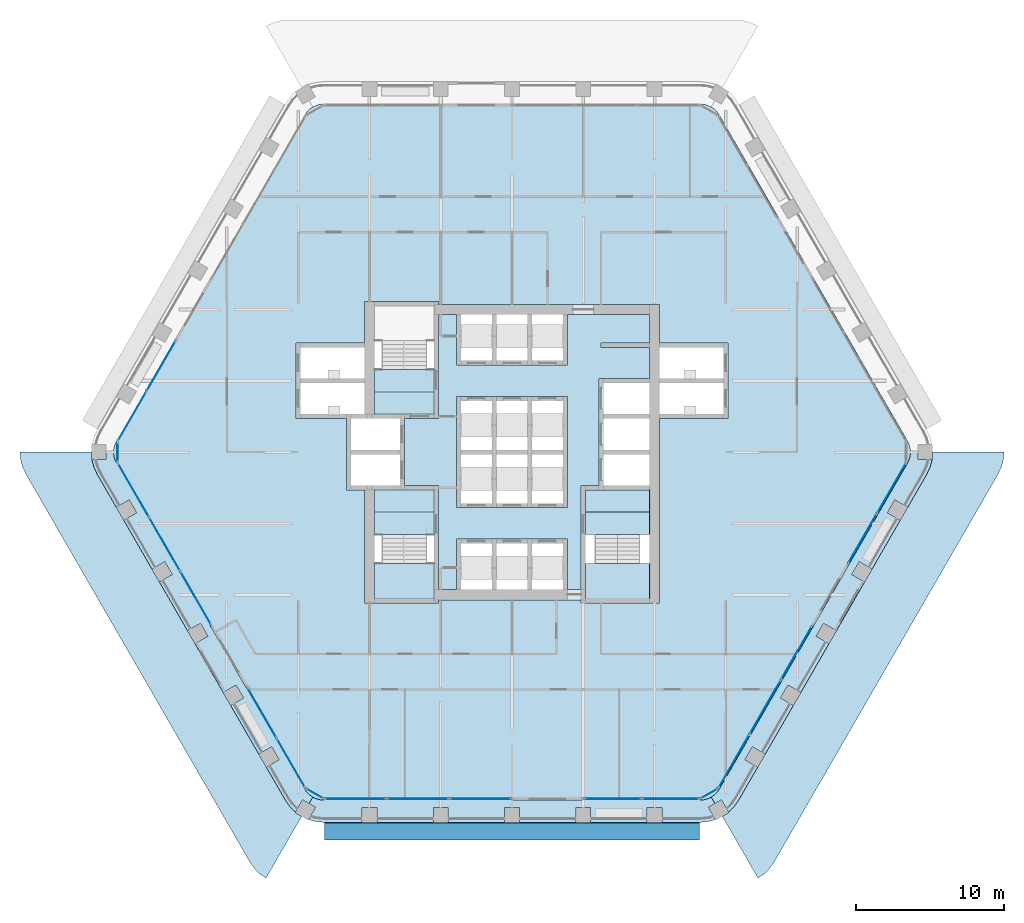
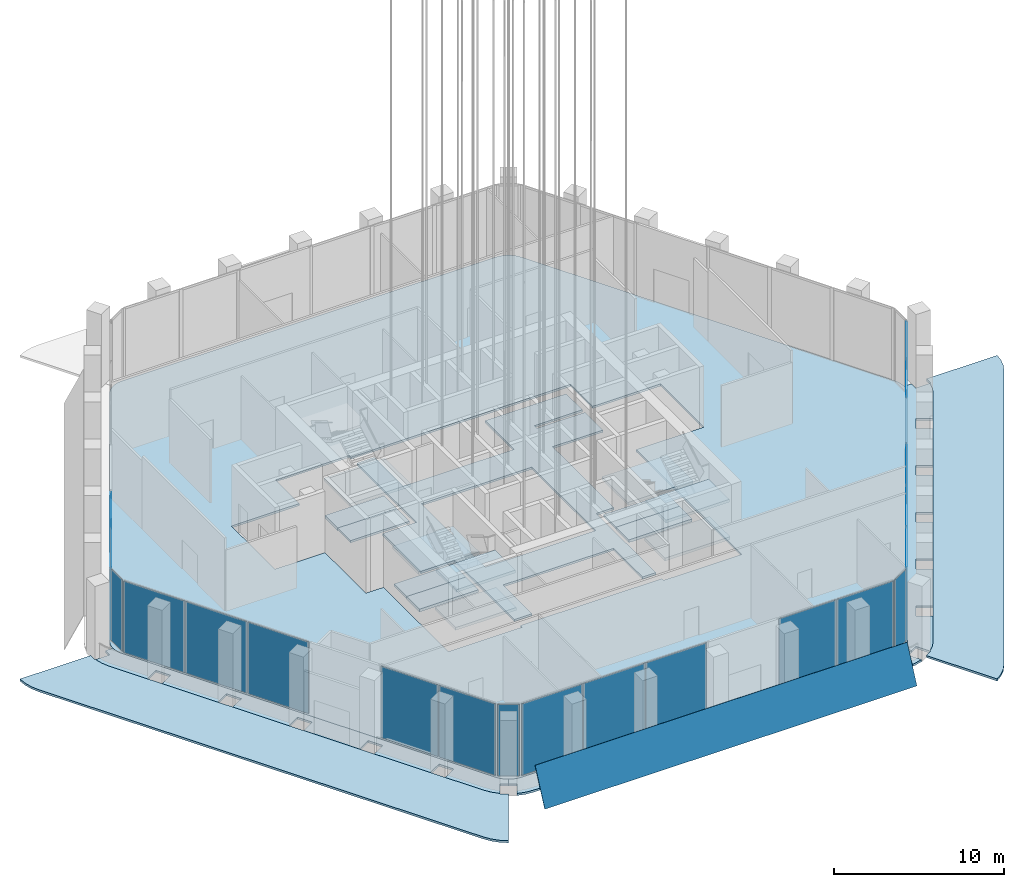
# One storey, part 6 of 42: 21 plates, 20 slabs, 13 elements without a shape of their own.
"""IFC4 building model written with IfcOpenShell, lengths in metres."""

from ifc_helpers import new_model, si_unit, direction, frame, origin, origin_2d, place, context, subcontext, project, spatial, polyline, rectangle, outline, extrude, material, layer, layer_set, type_object, element, aggregate, save


model = new_model("IFC4")

# Units and contexts
model_context = context("Model", 3, precision=1e-05, world=origin(), true_north=direction((0.0, 1.0)))
body_context = subcontext(model_context, "Body", "Model", "MODEL_VIEW")
ifc_project = project(units=[si_unit("LENGTHUNIT", "METRE"), si_unit("AREAUNIT", "SQUARE_METRE"), si_unit("VOLUMEUNIT", "CUBIC_METRE"), si_unit("PLANEANGLEUNIT", "RADIAN"), si_unit("MASSUNIT", "GRAM", prefix="KILO")], contexts=[model_context])

# Site, building, storey
site_placement = place(None, origin())
site = spatial("IfcSite", under=ifc_project, at=site_placement, CompositionType="ELEMENT")
building_placement = place(site_placement, origin())
building = spatial("IfcBuilding", under=site, at=building_placement, Name="Kolab Exchange Tower", CompositionType="ELEMENT")
storey_placement = place(building_placement, frame((0.0, 0.0, 133.39990234375)))
storey = spatial("IfcBuildingStorey", under=building, at=storey_placement, Name="L26", CompositionType="ELEMENT", Elevation=133.39990234375)

# Slabs
ifc_material_1 = material(Name="Concrete C35/45", Category="concrete")
ifc_layer_1 = layer(ifc_material_1, 0.14990234375)
ifc_layer_set_1 = layer_set([ifc_layer_1], Name="Concrete C35/45")
slab_type_1 = type_object("IfcSlabType", Name="FLOOR SLAB 150", PredefinedType="FLOOR", material=ifc_layer_set_1)
slab_1_placement = place(storey_placement, frame((0.0, 0.0, -0.14990234375)))
element("IfcSlab", 1, at=slab_1_placement, inside=storey, type_object=slab_type_1, Name="slab/L26/floor/0", PredefinedType="FLOOR", context=body_context, shape_type="SweptSolid", body=[
    extrude(outline(polyline([(13.967041015625, -22.691650390625), (26.635009765625, -0.75), (26.745361328125, -0.512939453125), (26.81298828125, -0.260498046875), (26.8359375, 0.0), (26.81298828125, 0.260498046875), (26.745361328125, 0.512939453125), (26.635009765625, 0.75), (13.967041015625, 22.691650390625), (13.81689453125, 22.90576171875), (13.632080078125, 23.090576171875), (13.41796875, 23.240478515625), (13.180908203125, 23.35107421875), (12.928466796875, 23.418701171875), (12.66796875, 23.441650390625), (-12.66796875, 23.441650390625), (-12.928466796875, 23.418701171875), (-13.180908203125, 23.35107421875), (-13.41796875, 23.240478515625), (-13.632080078125, 23.090576171875), (-13.81689453125, 22.90576171875), (-13.967041015625, 22.691650390625), (-26.635009765625, 0.75), (-26.745361328125, 0.512939453125), (-26.81298828125, 0.260498046875), (-26.8359375, 0.0), (-26.81298828125, -0.260498046875), (-26.745361328125, -0.512939453125), (-26.635009765625, -0.75), (-13.967041015625, -22.691650390625), (-13.81689453125, -22.90576171875), (-13.632080078125, -23.090576171875), (-13.41796875, -23.240478515625), (-13.180908203125, -23.35107421875), (-12.928466796875, -23.418701171875), (-12.66796875, -23.441650390625), (12.66796875, -23.441650390625), (12.928466796875, -23.418701171875), (13.180908203125, -23.35107421875), (13.41796875, -23.240478515625), (13.632080078125, -23.090576171875), (13.81689453125, -22.90576171875), (13.967041015625, -22.691650390625)]), holes=[polyline([(-11.14990234375, -2.550048828125), (-11.14990234375, 2.25), (-14.25, 2.25), (-14.550048828125, 2.25), (-14.550048828125, 7.35009765625), (-14.25, 7.35009765625), (-9.949951171875, 7.35009765625), (-9.949951171875, 10.14990234375), (-9.25, 10.14990234375), (-5.25, 10.14990234375), (-4.949951171875, 10.14990234375), (-4.949951171875, 9.949951171875), (9.25, 9.949951171875), (9.949951171875, 9.949951171875), (9.949951171875, 7.35009765625), (14.25, 7.35009765625), (14.550048828125, 7.35009765625), (14.550048828125, 2.25), (14.25, 2.25), (9.949951171875, 2.25), (9.949951171875, -10.14990234375), (9.25, -10.14990234375), (4.949951171875, -10.14990234375), (4.64990234375, -10.14990234375), (4.64990234375, -9.949951171875), (-4.949951171875, -9.949951171875), (-4.949951171875, -10.14990234375), (-5.25, -10.14990234375), (-9.25, -10.14990234375), (-9.949951171875, -10.14990234375), (-9.949951171875, -2.550048828125), (-10.85009765625, -2.550048828125), (-11.14990234375, -2.550048828125)])]), origin(), (0.0, 0.0, 1.0), 0.14990234375),
])
slab_2_placement = place(storey_placement, frame((0.0, 0.0, -0.14990234375)))
element("IfcSlab", 2, at=slab_2_placement, inside=storey, type_object=slab_type_1, Name="slab/L26/floor/1", PredefinedType="FLOOR", context=body_context, shape_type="SweptSolid", body=[
    extrude(outline(polyline([(-4.949951171875, 9.25), (-4.949951171875, 2.25), (-5.25, 2.25), (-7.25, 2.25), (-7.25, -2.25), (-5.25, -2.25), (-4.949951171875, -2.25), (-4.949951171875, -9.25), (-3.75, -9.25), (-3.75, -5.85009765625), (-3.449951171875, -5.85009765625), (-1.35009765625, -5.85009765625), (-1.050048828125, -5.85009765625), (1.050048828125, -5.85009765625), (1.35009765625, -5.85009765625), (3.449951171875, -5.85009765625), (3.75, -5.85009765625), (3.75, -9.25), (4.64990234375, -9.25), (4.64990234375, -2.25), (4.949951171875, -2.25), (5.85009765625, -2.25), (5.85009765625, 4.949951171875), (6.14990234375, 4.949951171875), (9.25, 4.949951171875), (9.25, 7.050048828125), (6.0, 7.050048828125), (6.0, 7.35009765625), (9.25, 7.35009765625), (9.25, 9.25), (3.75, 9.25), (3.75, 5.85009765625), (3.449951171875, 5.85009765625), (1.35009765625, 5.85009765625), (1.050048828125, 5.85009765625), (-1.050048828125, 5.85009765625), (-1.35009765625, 5.85009765625), (-3.449951171875, 5.85009765625), (-3.75, 5.85009765625), (-3.75, 9.25), (-4.949951171875, 9.25)]), holes=[polyline([(-1.35009765625, -3.75), (-3.449951171875, -3.75), (-3.75, -3.75), (-3.75, 3.75), (-3.449951171875, 3.75), (-1.35009765625, 3.75), (-1.050048828125, 3.75), (1.050048828125, 3.75), (1.35009765625, 3.75), (3.449951171875, 3.75), (3.75, 3.75), (3.75, -3.75), (3.449951171875, -3.75), (1.35009765625, -3.75), (1.050048828125, -3.75), (-1.050048828125, -3.75), (-1.35009765625, -3.75)])]), origin(), (0.0, 0.0, 1.0), 0.14990234375),
])
slab_3_placement = place(storey_placement, frame((0.0, 0.0, -0.14990234375)))
element("IfcSlab", 3, at=slab_3_placement, inside=storey, type_object=slab_type_1, Name="slab/L26/floor/2", PredefinedType="FLOOR", context=body_context, shape_type="SweptSolid", body=[
    extrude(outline(polyline([(5.85009765625, -2.550048828125), (4.949951171875, -2.550048828125), (4.949951171875, -4.050048828125), (9.25, -4.050048828125), (9.25, -2.550048828125), (6.14990234375, -2.550048828125), (5.85009765625, -2.550048828125)])), origin(), (0.0, 0.0, 1.0), 0.14990234375),
])
slab_4_placement = place(storey_placement, frame((0.0, 0.0, -0.14990234375)))
element("IfcSlab", 4, at=slab_4_placement, inside=storey, type_object=slab_type_1, Name="slab/L26/floor/3", PredefinedType="FLOOR", context=body_context, shape_type="SweptSolid", body=[
    extrude(outline(polyline([(-7.550048828125, -2.550048828125), (-9.25, -2.550048828125), (-9.25, -4.050048828125), (-5.25, -4.050048828125), (-5.25, -2.550048828125), (-7.25, -2.550048828125), (-7.550048828125, -2.550048828125)])), origin(), (0.0, 0.0, 1.0), 0.14990234375),
])
slab_5_placement = place(storey_placement, frame((0.0, 0.0, -0.14990234375)))
element("IfcSlab", 5, at=slab_5_placement, inside=storey, type_object=slab_type_1, Name="slab/L26/floor/4", PredefinedType="FLOOR", context=body_context, shape_type="SweptSolid", body=[
    extrude(outline(polyline([(-9.25, 2.550048828125), (-7.550048828125, 2.550048828125), (-7.25, 2.550048828125), (-5.25, 2.550048828125), (-5.25, 4.050048828125), (-9.25, 4.050048828125), (-9.25, 2.550048828125)])), origin(), (0.0, 0.0, 1.0), 0.14990234375),
])
ifc_layer_2 = layer(ifc_material_1, 0.14990234375)
ifc_layer_set_2 = layer_set([ifc_layer_2], Name="Concrete C35/45")
slab_type_2 = type_object("IfcSlabType", Name="LOGGIA SLAB 150", PredefinedType="FLOOR", material=ifc_layer_set_2)
slab_6_placement = place(storey_placement, frame((0.0, 0.0, -0.14990234375)))
element("IfcSlab", 6, at=slab_6_placement, inside=storey, type_object=slab_type_2, Name="slab/L26/loggia/2-0", PredefinedType="FLOOR", context=body_context, shape_type="SweptSolid", body=[
    extrude(outline(polyline([(15.26611328125, -23.441650390625), (16.550048828125, -21.217529296875), (15.68408203125, -20.717529296875), (16.18408203125, -19.8515625), (17.050048828125, -20.3515625), (18.949951171875, -17.060791015625), (18.083984375, -16.560791015625), (18.583984375, -15.694580078125), (19.449951171875, -16.194580078125), (21.35009765625, -12.90380859375), (20.48388671875, -12.40380859375), (20.98388671875, -11.537841796875), (21.85009765625, -12.037841796875), (23.75, -8.746826171875), (22.884033203125, -8.246826171875), (23.384033203125, -7.380859375), (24.25, -7.880859375), (26.14990234375, -4.58984375), (25.283935546875, -4.08984375), (25.783935546875, -3.223876953125), (26.64990234375, -3.723876953125), (27.93408203125, -1.5), (28.155029296875, -1.026123046875), (28.290283203125, -0.52099609375), (28.292236328125, -0.5), (27.3359375, -0.5), (27.3359375, 0.0), (26.8359375, 0.0), (26.81298828125, -0.260498046875), (26.745361328125, -0.512939453125), (26.635009765625, -0.75), (13.967041015625, -22.691650390625), (13.81689453125, -22.90576171875), (13.632080078125, -23.090576171875), (13.41796875, -23.240478515625), (13.66796875, -23.673583984375), (14.10107421875, -23.423583984375), (14.5791015625, -24.251708984375), (14.59619140625, -24.23974609375), (14.966064453125, -23.869873046875), (15.26611328125, -23.441650390625)])), origin(), (0.0, 0.0, 1.0), 0.14990234375),
])
slab_7_placement = place(storey_placement, frame((0.0, 0.0, -0.14990234375)))
element("IfcSlab", 7, at=slab_7_placement, inside=storey, type_object=slab_type_2, Name="slab/L26/loggia/3-0", PredefinedType="FLOOR", context=body_context, shape_type="SweptSolid", body=[
    extrude(outline(polyline([(-13.41796875, -23.240478515625), (-13.66796875, -23.673583984375), (-13.23486328125, -23.923583984375), (-13.713134765625, -24.751708984375), (-13.694091796875, -24.760498046875), (-13.18896484375, -24.89599609375), (-12.66796875, -24.941650390625), (-10.10009765625, -24.941650390625), (-10.10009765625, -23.941650390625), (-9.10009765625, -23.941650390625), (-9.10009765625, -24.941650390625), (-5.300048828125, -24.941650390625), (-5.300048828125, -23.941650390625), (-4.300048828125, -23.941650390625), (-4.300048828125, -24.941650390625), (-0.5, -24.941650390625), (-0.5, -23.941650390625), (0.5, -23.941650390625), (0.5, -24.941650390625), (4.300048828125, -24.941650390625), (4.300048828125, -23.941650390625), (5.300048828125, -23.941650390625), (5.300048828125, -24.941650390625), (9.10009765625, -24.941650390625), (9.10009765625, -23.941650390625), (10.10009765625, -23.941650390625), (10.10009765625, -24.941650390625), (12.66796875, -24.941650390625), (13.18896484375, -24.89599609375), (13.694091796875, -24.760498046875), (13.713134765625, -24.751708984375), (13.23486328125, -23.923583984375), (13.66796875, -23.673583984375), (13.41796875, -23.240478515625), (13.180908203125, -23.35107421875), (12.928466796875, -23.418701171875), (12.66796875, -23.441650390625), (-12.66796875, -23.441650390625), (-12.928466796875, -23.418701171875), (-13.180908203125, -23.35107421875), (-13.41796875, -23.240478515625)])), origin(), (0.0, 0.0, 1.0), 0.14990234375),
])
slab_8_placement = place(storey_placement, frame((0.0, 0.0, -0.14990234375)))
element("IfcSlab", 8, at=slab_8_placement, inside=storey, type_object=slab_type_2, Name="slab/L26/loggia/4-0", PredefinedType="FLOOR", context=body_context, shape_type="SweptSolid", body=[
    extrude(outline(polyline([(-26.8359375, 0.0), (-27.3359375, 0.0), (-27.3359375, -0.5), (-28.292236328125, -0.5), (-28.290283203125, -0.52099609375), (-28.155029296875, -1.026123046875), (-27.93408203125, -1.5), (-26.64990234375, -3.723876953125), (-25.783935546875, -3.223876953125), (-25.283935546875, -4.08984375), (-26.14990234375, -4.58984375), (-24.25, -7.880859375), (-23.384033203125, -7.380859375), (-22.884033203125, -8.246826171875), (-23.75, -8.746826171875), (-21.85009765625, -12.037841796875), (-20.98388671875, -11.537841796875), (-20.48388671875, -12.40380859375), (-21.35009765625, -12.90380859375), (-19.449951171875, -16.194580078125), (-18.583984375, -15.694580078125), (-18.083984375, -16.560791015625), (-18.949951171875, -17.060791015625), (-17.050048828125, -20.3515625), (-16.18408203125, -19.8515625), (-15.68408203125, -20.717529296875), (-16.550048828125, -21.217529296875), (-15.26611328125, -23.441650390625), (-14.966064453125, -23.869873046875), (-14.59619140625, -24.23974609375), (-14.5791015625, -24.251708984375), (-14.10107421875, -23.423583984375), (-13.66796875, -23.673583984375), (-13.41796875, -23.240478515625), (-13.632080078125, -23.090576171875), (-13.81689453125, -22.90576171875), (-13.967041015625, -22.691650390625), (-26.635009765625, -0.75), (-26.745361328125, -0.512939453125), (-26.81298828125, -0.260498046875), (-26.8359375, 0.0)])), origin(), (0.0, 0.0, 1.0), 0.14990234375),
])

# Plate
ifc_material_2 = material(Name="Laminated glass, clear", Category="glass")
ifc_layer_3 = layer(ifc_material_2, 0.0400390625)
ifc_layer_set_3 = layer_set([ifc_layer_3], Name="Laminated glass, clear")
plate_type_1 = type_object("IfcPlateType", Name="OUTER SKIN LAMINATED GLASS SHEET 40", PredefinedType="SHEET", material=ifc_layer_set_3)
plate_1_placement = place(storey_placement, frame((12.617919921875, -26.121337890625, -0.68310546875), z_axis=(0.0, -0.906325987665, 0.422579228173), x_axis=(-1.0, 0.0, 0.0)))
element("IfcPlate", 9, at=plate_1_placement, inside=storey, type_object=plate_type_1, Name="Outer skin", PredefinedType="SHEET", context=body_context, shape_type="SweptSolid", body=[
    extrude(outline(polyline([(0.0, 0.0), (25.23583984375, 0.0), (25.23583984375, -2.7061308537215987), (0.0, -2.7061308537215987), (0.0, 0.0)])), origin(), (0.0, 0.0, -1.0), 0.0400390625),
])

# Stair, slabs
ifc_material_3 = material(Name="Concrete C50/60", Category="concrete")
stair_type_1 = type_object("IfcStairType", Name="STAIR ST1 RISER 168.8", PredefinedType="DOUBLE_RETURN_STAIR", material=ifc_material_3)
stair_1_placement = place(storey_placement, origin())
stair_1 = element("IfcStair", 10, at=stair_1_placement, inside=storey, type_object=stair_type_1, Name="Stair 1", PredefinedType="DOUBLE_RETURN_STAIR")
ifc_layer_4 = layer(ifc_material_3, 0.199951171875)
ifc_layer_set_4 = layer_set([ifc_layer_4], Name="Concrete C50/60")
slab_type_3 = type_object("IfcSlabType", Name="STAIR LANDING 200", PredefinedType="LANDING", material=ifc_layer_set_4)
slab_9_placement = place(storey_placement, frame((0.0, 0.0, -0.199951171875)))
slab_9 = element("IfcSlab", 11, at=slab_9_placement, type_object=slab_type_3, Name="ST1 landing 1", PredefinedType="LANDING", context=body_context, shape_type="SweptSolid", body=[
    extrude(outline(polyline([(-9.25, 4.050048828125), (-5.25, 4.050048828125), (-5.25, 5.550048828125), (-9.25, 5.550048828125), (-9.25, 4.050048828125)])), origin(), (0.0, 0.0, 1.0), 0.199951171875),
])
slab_10_placement = place(storey_placement, frame((0.0, 0.0, 2.5)))
slab_10 = element("IfcSlab", 12, at=slab_10_placement, type_object=slab_type_3, Name="ST1 landing 3", PredefinedType="LANDING", context=body_context, shape_type="SweptSolid", body=[
    extrude(outline(polyline([(-9.31005859375, 2.489990234375), (-5.18994140625, 2.489990234375), (-5.18994140625, 5.550048828125), (-9.31005859375, 5.550048828125), (-9.31005859375, 2.489990234375)])), origin(), (0.0, 0.0, 1.0), 0.2001953125),
])
aggregate(stair_1, [slab_9, slab_10])

stair_type_2 = type_object("IfcStairType", Name="STAIR ST3 RISER 168.8", PredefinedType="DOUBLE_RETURN_STAIR", material=ifc_material_3)
stair_2_placement = place(storey_placement, origin())
stair_2 = element("IfcStair", 13, at=stair_2_placement, inside=storey, type_object=stair_type_2, Name="Stair 3", PredefinedType="DOUBLE_RETURN_STAIR")
slab_11_placement = place(storey_placement, frame((0.0, 0.0, -0.199951171875)))
slab_11 = element("IfcSlab", 14, at=slab_11_placement, type_object=slab_type_3, Name="ST3 landing 1", PredefinedType="LANDING", context=body_context, shape_type="SweptSolid", body=[
    extrude(outline(polyline([(-9.25, -5.550048828125), (-5.25, -5.550048828125), (-5.25, -4.050048828125), (-9.25, -4.050048828125), (-9.25, -5.550048828125)])), origin(), (0.0, 0.0, 1.0), 0.199951171875),
])
slab_12_placement = place(storey_placement, frame((0.0, 0.0, 1.150146484375)))
slab_12 = element("IfcSlab", 15, at=slab_12_placement, type_object=slab_type_3, Name="ST3 landing 2", PredefinedType="LANDING", context=body_context, shape_type="SweptSolid", body=[
    extrude(outline(polyline([(-9.31005859375, -9.909912109375), (-5.18994140625, -9.909912109375), (-5.18994140625, -7.510009765625), (-9.31005859375, -7.510009765625), (-9.31005859375, -9.909912109375)])), origin(), (0.0, 0.0, 1.0), 0.199951171875),
])
slab_13_placement = place(storey_placement, frame((0.0, 0.0, 2.5)))
slab_13 = element("IfcSlab", 16, at=slab_13_placement, type_object=slab_type_3, Name="ST3 landing 3", PredefinedType="LANDING", context=body_context, shape_type="SweptSolid", body=[
    extrude(outline(polyline([(-9.31005859375, -5.550048828125), (-5.18994140625, -5.550048828125), (-5.18994140625, -2.489990234375), (-9.31005859375, -2.489990234375), (-9.31005859375, -5.550048828125)])), origin(), (0.0, 0.0, 1.0), 0.2001953125),
])
slab_14_placement = place(storey_placement, frame((0.0, 0.0, 3.85009765625)))
slab_14 = element("IfcSlab", 17, at=slab_14_placement, type_object=slab_type_3, Name="ST3 landing 4", PredefinedType="LANDING", context=body_context, shape_type="SweptSolid", body=[
    extrude(outline(polyline([(-9.25, -9.909912109375), (-5.25, -9.909912109375), (-5.25, -7.510009765625), (-9.25, -7.510009765625), (-9.25, -9.909912109375)])), origin(), (0.0, 0.0, 1.0), 0.199951171875),
])
aggregate(stair_2, [slab_11, slab_12, slab_13, slab_14])

stair_type_3 = type_object("IfcStairType", Name="STAIR ST2 RISER 168.8", PredefinedType="DOUBLE_RETURN_STAIR", material=ifc_material_3)
stair_3_placement = place(storey_placement, origin())
stair_3 = element("IfcStair", 18, at=stair_3_placement, inside=storey, type_object=stair_type_3, Name="Stair 2", PredefinedType="DOUBLE_RETURN_STAIR")
slab_15_placement = place(storey_placement, frame((0.0, 0.0, -0.199951171875)))
slab_15 = element("IfcSlab", 19, at=slab_15_placement, type_object=slab_type_3, Name="ST2 landing 1", PredefinedType="LANDING", context=body_context, shape_type="SweptSolid", body=[
    extrude(outline(polyline([(4.949951171875, -5.550048828125), (9.25, -5.550048828125), (9.25, -4.050048828125), (4.949951171875, -4.050048828125), (4.949951171875, -5.550048828125)])), origin(), (0.0, 0.0, 1.0), 0.199951171875),
])
slab_16_placement = place(storey_placement, frame((0.0, 0.0, 1.150146484375)))
slab_16 = element("IfcSlab", 20, at=slab_16_placement, type_object=slab_type_3, Name="ST2 landing 2", PredefinedType="LANDING", context=body_context, shape_type="SweptSolid", body=[
    extrude(outline(polyline([(4.889892578125, -9.909912109375), (9.31005859375, -9.909912109375), (9.31005859375, -7.510009765625), (4.889892578125, -7.510009765625), (4.889892578125, -9.909912109375)])), origin(), (0.0, 0.0, 1.0), 0.199951171875),
])
slab_17_placement = place(storey_placement, frame((0.0, 0.0, 2.5)))
slab_17 = element("IfcSlab", 21, at=slab_17_placement, type_object=slab_type_3, Name="ST2 landing 3", PredefinedType="LANDING", context=body_context, shape_type="SweptSolid", body=[
    extrude(outline(polyline([(4.889892578125, -5.550048828125), (9.31005859375, -5.550048828125), (9.31005859375, -2.489990234375), (4.889892578125, -2.489990234375), (4.889892578125, -5.550048828125)])), origin(), (0.0, 0.0, 1.0), 0.2001953125),
])
slab_18_placement = place(storey_placement, frame((0.0, 0.0, 3.85009765625)))
slab_18 = element("IfcSlab", 22, at=slab_18_placement, type_object=slab_type_3, Name="ST2 landing 4", PredefinedType="LANDING", context=body_context, shape_type="SweptSolid", body=[
    extrude(outline(polyline([(4.949951171875, -9.909912109375), (9.25, -9.909912109375), (9.25, -7.510009765625), (4.949951171875, -7.510009765625), (4.949951171875, -9.909912109375)])), origin(), (0.0, 0.0, 1.0), 0.199951171875),
])
aggregate(stair_3, [slab_15, slab_16, slab_17, slab_18])

# Slabs
ifc_layer_5 = layer(ifc_material_1, 0.14990234375)
ifc_layer_set_5 = layer_set([ifc_layer_5], Name="Concrete C35/45")
slab_type_4 = type_object("IfcSlabType", Name="TERRACE SLAB 150 PLANTED", PredefinedType="ROOF", material=ifc_layer_set_5)
slab_19_placement = place(storey_placement, frame((0.0, 0.0, -0.14990234375)))
element("IfcSlab", 23, at=slab_19_placement, inside=storey, type_object=slab_type_4, Name="slab/L25/ledge-L26-F3/0", PredefinedType="ROOF", context=body_context, shape_type="SweptSolid", body=[
    extrude(outline(polyline([(33.135986328125, 0.0), (28.3359375, 0.0), (28.3359375, -0.5), (28.292236328125, -0.5), (28.290283203125, -0.52099609375), (28.155029296875, -1.026123046875), (27.93408203125, -1.5), (16.760009765625, -20.85400390625), (16.550048828125, -21.217529296875), (15.26611328125, -23.441650390625), (14.966064453125, -23.869873046875), (14.59619140625, -24.23974609375), (14.5791015625, -24.251708984375), (14.60107421875, -24.28955078125), (14.16796875, -24.53955078125), (16.56787109375, -28.696533203125), (16.996337890625, -28.396484375), (17.365966796875, -28.02685546875), (17.666015625, -27.598388671875), (32.73388671875, -1.5), (32.955078125, -1.026123046875), (33.09033203125, -0.52099609375), (33.135986328125, 0.0)])), origin(), (0.0, 0.0, 1.0), 0.14990234375),
])
slab_20_placement = place(storey_placement, frame((0.0, 0.0, -0.14990234375)))
element("IfcSlab", 24, at=slab_20_placement, inside=storey, type_object=slab_type_4, Name="slab/L25/ledge-L26-F5/0", PredefinedType="ROOF", context=body_context, shape_type="SweptSolid", body=[
    extrude(outline(polyline([(-14.16796875, -24.53955078125), (-14.60107421875, -24.28955078125), (-14.5791015625, -24.251708984375), (-14.59619140625, -24.23974609375), (-14.966064453125, -23.869873046875), (-15.26611328125, -23.441650390625), (-16.550048828125, -21.217529296875), (-16.760009765625, -20.85400390625), (-27.93408203125, -1.5), (-28.155029296875, -1.026123046875), (-28.290283203125, -0.52099609375), (-28.292236328125, -0.5), (-28.3359375, -0.5), (-28.3359375, 0.0), (-33.135986328125, 0.0), (-33.09033203125, -0.52099609375), (-32.955078125, -1.026123046875), (-32.73388671875, -1.5), (-17.666015625, -27.598388671875), (-17.365966796875, -28.02685546875), (-16.996337890625, -28.396484375), (-16.56787109375, -28.696533203125), (-14.16796875, -24.53955078125)])), origin(), (0.0, 0.0, 1.0), 0.14990234375),
])

# Curtain wall, plates
ifc_material_4 = material(Name="Aluminium EN AW-6063 T6", Category="aluminium")
curtain_wall_type = type_object("IfcCurtainWallType", Name="UNITISED UPPER MID ZONE DOUBLE HEIGHT CURTAIN WALL", PredefinedType="NOTDEFINED", material=ifc_material_4)
curtain_wall_1_placement = place(storey_placement, origin())
curtain_wall_1 = element("IfcCurtainWall", 25, at=curtain_wall_1_placement, inside=storey, type_object=curtain_wall_type, Name="cw/L26/F3-1", PredefinedType="NOTDEFINED")
ifc_material_5 = material(Name="Clear insulated glazing unit", Category="glass")
ifc_layer_6 = layer(ifc_material_5, 0.028076171875)
ifc_layer_set_6 = layer_set([ifc_layer_6], Name="Clear insulated glazing unit")
plate_type_2 = type_object("IfcPlateType", Name="UNITISED UPPER MID ZONE DOUBLE HEIGHT GLASS PANEL 28", PredefinedType="CURTAIN_PANEL", material=ifc_layer_set_6)
plate_2_placement = place(storey_placement, frame((25.57470703125, -2.426513671875, 0.06005859375), z_axis=(0.0, 0.0, 1.0), x_axis=(-0.499999936366, -0.866025440524, 0.0)))
plate_2 = element("IfcPlate", 26, at=plate_2_placement, type_object=plate_type_2, Name="CW8 panel 1.1", PredefinedType="CURTAIN_PANEL", context=body_context, shape_type="SweptSolid", body=[
    extrude(rectangle(XDim=3.843994140625, YDim=0.028076171875, at=origin_2d()), origin(), (0.0, 0.0, 1.0), 5.1298828125),
])
plate_3_placement = place(storey_placement, frame((23.62255859375, -5.807373046875, 0.06005859375), z_axis=(0.0, 0.0, 1.0), x_axis=(-0.499999936366, -0.866025440524, 0.0)))
plate_3 = element("IfcPlate", 27, at=plate_3_placement, type_object=plate_type_2, Name="CW8 panel 2.1", PredefinedType="CURTAIN_PANEL", context=body_context, shape_type="SweptSolid", body=[
    extrude(rectangle(XDim=3.843994140625, YDim=0.028076171875, at=origin_2d()), origin(), (0.0, 0.0, 1.0), 5.1298828125),
])
aggregate(curtain_wall_1, [plate_2, plate_3])

curtain_wall_2_placement = place(storey_placement, origin())
curtain_wall_2 = element("IfcCurtainWall", 28, at=curtain_wall_2_placement, inside=storey, type_object=curtain_wall_type, Name="cw/L26/F3-2", PredefinedType="NOTDEFINED")
plate_4_placement = place(storey_placement, frame((19.16845703125, -13.522216796875, 0.06005859375), z_axis=(0.0, 0.0, 1.0), x_axis=(-0.500000017564, -0.866025393644, 0.0)))
plate_4 = element("IfcPlate", 29, at=plate_4_placement, type_object=plate_type_2, Name="CW8 panel 1.1", PredefinedType="CURTAIN_PANEL", context=body_context, shape_type="SweptSolid", body=[
    extrude(rectangle(XDim=4.132568359375, YDim=0.028076171875, at=origin_2d()), origin(), (0.0, 0.0, 1.0), 5.1298828125),
])
plate_5_placement = place(storey_placement, frame((17.064697265625, -17.166259765625, 0.06005859375), z_axis=(0.0, 0.0, 1.0), x_axis=(-0.500000017564, -0.866025393644, 0.0)))
plate_5 = element("IfcPlate", 30, at=plate_5_placement, type_object=plate_type_2, Name="CW8 panel 2.1", PredefinedType="CURTAIN_PANEL", context=body_context, shape_type="SweptSolid", body=[
    extrude(rectangle(XDim=4.16259765625, YDim=0.028076171875, at=origin_2d()), origin(), (0.0, 0.0, 1.0), 5.1298828125),
])
plate_6_placement = place(storey_placement, frame((14.9609375, -20.81005859375, 0.06005859375), z_axis=(0.0, 0.0, 1.0), x_axis=(-0.500000017564, -0.866025393644, 0.0)))
plate_6 = element("IfcPlate", 31, at=plate_6_placement, type_object=plate_type_2, Name="CW8 panel 3.1", PredefinedType="CURTAIN_PANEL", context=body_context, shape_type="SweptSolid", body=[
    extrude(rectangle(XDim=4.132568359375, YDim=0.028076171875, at=origin_2d()), origin(), (0.0, 0.0, 1.0), 5.1298828125),
])
aggregate(curtain_wall_2, [plate_4, plate_5, plate_6])

curtain_wall_3_placement = place(storey_placement, origin())
curtain_wall_3 = element("IfcCurtainWall", 32, at=curtain_wall_3_placement, inside=storey, type_object=curtain_wall_type, Name="cw/L26/F4-1", PredefinedType="NOTDEFINED")
plate_7_placement = place(storey_placement, frame((10.68603515625, -23.361572265625, 0.06005859375), z_axis=(0.0, 0.0, 1.0), x_axis=(-1.0, 0.0, 0.0)))
plate_7 = element("IfcPlate", 33, at=plate_7_placement, type_object=plate_type_2, Name="CW8 panel 1.1", PredefinedType="CURTAIN_PANEL", context=body_context, shape_type="SweptSolid", body=[
    extrude(rectangle(XDim=3.843994140625, YDim=0.028076171875, at=origin_2d()), origin(), (0.0, 0.0, 1.0), 5.1298828125),
])
plate_8_placement = place(storey_placement, frame((6.781982421875, -23.361572265625, 0.06005859375), z_axis=(0.0, 0.0, 1.0), x_axis=(-1.0, 0.0, 0.0)))
plate_8 = element("IfcPlate", 34, at=plate_8_placement, type_object=plate_type_2, Name="CW8 panel 2.1", PredefinedType="CURTAIN_PANEL", context=body_context, shape_type="SweptSolid", body=[
    extrude(rectangle(XDim=3.843994140625, YDim=0.028076171875, at=origin_2d()), origin(), (0.0, 0.0, 1.0), 5.1298828125),
])
aggregate(curtain_wall_3, [plate_7, plate_8])

curtain_wall_4_placement = place(storey_placement, origin())
curtain_wall_4 = element("IfcCurtainWall", 35, at=curtain_wall_4_placement, inside=storey, type_object=curtain_wall_type, Name="cw/L26/F4-2", PredefinedType="NOTDEFINED")
plate_9_placement = place(storey_placement, frame((-2.126220703125, -23.361572265625, 0.06005859375), z_axis=(0.0, 0.0, 1.0), x_axis=(-1.0, 0.0, 0.0)))
plate_9 = element("IfcPlate", 36, at=plate_9_placement, type_object=plate_type_2, Name="CW8 panel 1.1", PredefinedType="CURTAIN_PANEL", context=body_context, shape_type="SweptSolid", body=[
    extrude(rectangle(XDim=4.132568359375, YDim=0.028076171875, at=origin_2d()), origin(), (0.0, 0.0, 1.0), 5.1298828125),
])
plate_10_placement = place(storey_placement, frame((-6.333984375, -23.361572265625, 0.06005859375), z_axis=(0.0, 0.0, 1.0), x_axis=(-1.0, 0.0, 0.0)))
plate_10 = element("IfcPlate", 37, at=plate_10_placement, type_object=plate_type_2, Name="CW8 panel 2.1", PredefinedType="CURTAIN_PANEL", context=body_context, shape_type="SweptSolid", body=[
    extrude(rectangle(XDim=4.16259765625, YDim=0.028076171875, at=origin_2d()), origin(), (0.0, 0.0, 1.0), 5.1298828125),
])
plate_11_placement = place(storey_placement, frame((-10.54150390625, -23.361572265625, 0.06005859375), z_axis=(0.0, 0.0, 1.0), x_axis=(-1.0, 0.0, 0.0)))
plate_11 = element("IfcPlate", 38, at=plate_11_placement, type_object=plate_type_2, Name="CW8 panel 3.1", PredefinedType="CURTAIN_PANEL", context=body_context, shape_type="SweptSolid", body=[
    extrude(rectangle(XDim=4.132568359375, YDim=0.028076171875, at=origin_2d()), origin(), (0.0, 0.0, 1.0), 5.1298828125),
])
aggregate(curtain_wall_4, [plate_9, plate_10, plate_11])

curtain_wall_5_placement = place(storey_placement, origin())
curtain_wall_5 = element("IfcCurtainWall", 39, at=curtain_wall_5_placement, inside=storey, type_object=curtain_wall_type, Name="cw/L26/F5-1", PredefinedType="NOTDEFINED")
plate_12_placement = place(storey_placement, frame((-14.888671875, -20.93505859375, 0.06005859375), z_axis=(0.0, 0.0, 1.0), x_axis=(-0.500000031681, 0.866025385493, 0.0)))
plate_12 = element("IfcPlate", 40, at=plate_12_placement, type_object=plate_type_2, Name="CW8 panel 1.1", PredefinedType="CURTAIN_PANEL", context=body_context, shape_type="SweptSolid", body=[
    extrude(rectangle(XDim=3.843994140625, YDim=0.028076171875, at=origin_2d()), origin(), (0.0, 0.0, 1.0), 5.1298828125),
])
plate_13_placement = place(storey_placement, frame((-16.840576171875, -17.55419921875, 0.06005859375), z_axis=(0.0, 0.0, 1.0), x_axis=(-0.500000031681, 0.866025385493, 0.0)))
plate_13 = element("IfcPlate", 41, at=plate_13_placement, type_object=plate_type_2, Name="CW8 panel 2.1", PredefinedType="CURTAIN_PANEL", context=body_context, shape_type="SweptSolid", body=[
    extrude(rectangle(XDim=3.843994140625, YDim=0.028076171875, at=origin_2d()), origin(), (0.0, 0.0, 1.0), 5.1298828125),
])
aggregate(curtain_wall_5, [plate_12, plate_13])

curtain_wall_6_placement = place(storey_placement, origin())
curtain_wall_6 = element("IfcCurtainWall", 42, at=curtain_wall_6_placement, inside=storey, type_object=curtain_wall_type, Name="cw/L26/F5-2", PredefinedType="NOTDEFINED")
plate_14_placement = place(storey_placement, frame((-21.294921875, -9.83935546875, 0.06005859375), z_axis=(0.0, 0.0, 1.0), x_axis=(-0.499999958358, 0.866025427826, 0.0)))
plate_14 = element("IfcPlate", 43, at=plate_14_placement, type_object=plate_type_2, Name="CW8 panel 1.1", PredefinedType="CURTAIN_PANEL", context=body_context, shape_type="SweptSolid", body=[
    extrude(rectangle(XDim=4.132568359375, YDim=0.028076171875, at=origin_2d()), origin(), (0.0, 0.0, 1.0), 5.1298828125),
])
plate_15_placement = place(storey_placement, frame((-23.398681640625, -6.1953125, 0.06005859375), z_axis=(0.0, 0.0, 1.0), x_axis=(-0.499999958358, 0.866025427826, 0.0)))
plate_15 = element("IfcPlate", 44, at=plate_15_placement, type_object=plate_type_2, Name="CW8 panel 2.1", PredefinedType="CURTAIN_PANEL", context=body_context, shape_type="SweptSolid", body=[
    extrude(rectangle(XDim=4.16259765625, YDim=0.028076171875, at=origin_2d()), origin(), (0.0, 0.0, 1.0), 5.1298828125),
])
plate_16_placement = place(storey_placement, frame((-25.50244140625, -2.551513671875, 0.06005859375), z_axis=(0.0, 0.0, 1.0), x_axis=(-0.499999958358, 0.866025427826, 0.0)))
plate_16 = element("IfcPlate", 45, at=plate_16_placement, type_object=plate_type_2, Name="CW8 panel 3.1", PredefinedType="CURTAIN_PANEL", context=body_context, shape_type="SweptSolid", body=[
    extrude(rectangle(XDim=4.132568359375, YDim=0.028076171875, at=origin_2d()), origin(), (0.0, 0.0, 1.0), 5.1298828125),
])
aggregate(curtain_wall_6, [plate_14, plate_15, plate_16])

curtain_wall_7_placement = place(storey_placement, origin())
curtain_wall_7 = element("IfcCurtainWall", 46, at=curtain_wall_7_placement, inside=storey, type_object=curtain_wall_type, Name="cw/L26/F6-1", PredefinedType="NOTDEFINED")
plate_17_placement = place(storey_placement, frame((-25.57470703125, 2.426513671875, 0.06005859375), z_axis=(0.0, 0.0, 1.0), x_axis=(0.499999936366, 0.866025440524, 0.0)))
plate_17 = element("IfcPlate", 47, at=plate_17_placement, type_object=plate_type_2, Name="CW8 panel 1.1", PredefinedType="CURTAIN_PANEL", context=body_context, shape_type="SweptSolid", body=[
    extrude(rectangle(XDim=3.843994140625, YDim=0.028076171875, at=origin_2d()), origin(), (0.0, 0.0, 1.0), 5.1298828125),
])
plate_18_placement = place(storey_placement, frame((-23.62255859375, 5.807373046875, 0.06005859375), z_axis=(0.0, 0.0, 1.0), x_axis=(0.499999936366, 0.866025440524, 0.0)))
plate_18 = element("IfcPlate", 48, at=plate_18_placement, type_object=plate_type_2, Name="CW8 panel 2.1", PredefinedType="CURTAIN_PANEL", context=body_context, shape_type="SweptSolid", body=[
    extrude(rectangle(XDim=3.843994140625, YDim=0.028076171875, at=origin_2d()), origin(), (0.0, 0.0, 1.0), 5.1298828125),
])
aggregate(curtain_wall_7, [plate_17, plate_18])

# Curtain wall, plate
curtain_wall_8_placement = place(storey_placement, origin())
curtain_wall_8 = element("IfcCurtainWall", 49, at=curtain_wall_8_placement, inside=storey, type_object=curtain_wall_type, Name="cw/L26/F3F4-corner", PredefinedType="NOTDEFINED")
plate_19_placement = place(storey_placement, frame((13.28271484375, -23.006591796875, 0.06005859375), z_axis=(0.0, 0.0, 1.0), x_axis=(-0.866025390869, -0.50000002237, 0.0)))
plate_19 = element("IfcPlate", 50, at=plate_19_placement, type_object=plate_type_2, Name="CW8 panel 1.1", PredefinedType="CURTAIN_PANEL", context=body_context, shape_type="SweptSolid", body=[
    extrude(rectangle(XDim=1.300048828125, YDim=0.028076171875, at=origin_2d()), origin(), (0.0, 0.0, 1.0), 5.1298828125),
])
aggregate(curtain_wall_8, [plate_19])

curtain_wall_9_placement = place(storey_placement, origin())
curtain_wall_9 = element("IfcCurtainWall", 51, at=curtain_wall_9_placement, inside=storey, type_object=curtain_wall_type, Name="cw/L26/F4F5-corner", PredefinedType="NOTDEFINED")
plate_20_placement = place(storey_placement, frame((-13.28271484375, -23.006591796875, 0.06005859375), z_axis=(0.0, 0.0, 1.0), x_axis=(-0.866025390869, 0.50000002237, 0.0)))
plate_20 = element("IfcPlate", 52, at=plate_20_placement, type_object=plate_type_2, Name="CW8 panel 1.1", PredefinedType="CURTAIN_PANEL", context=body_context, shape_type="SweptSolid", body=[
    extrude(rectangle(XDim=1.300048828125, YDim=0.028076171875, at=origin_2d()), origin(), (0.0, 0.0, 1.0), 5.1298828125),
])
aggregate(curtain_wall_9, [plate_20])

curtain_wall_10_placement = place(storey_placement, origin())
curtain_wall_10 = element("IfcCurtainWall", 53, at=curtain_wall_10_placement, inside=storey, type_object=curtain_wall_type, Name="cw/L26/F5F6-corner", PredefinedType="NOTDEFINED")
plate_21_placement = place(storey_placement, frame((-26.565673828125, 0.0, 0.06005859375), z_axis=(0.0, 0.0, 1.0), x_axis=(0.0, 1.0, 0.0)))
plate_21 = element("IfcPlate", 54, at=plate_21_placement, type_object=plate_type_2, Name="CW8 panel 1.1", PredefinedType="CURTAIN_PANEL", context=body_context, shape_type="SweptSolid", body=[
    extrude(rectangle(XDim=1.300048828125, YDim=0.028076171875, at=origin_2d()), origin(), (0.0, 0.0, 1.0), 5.1298828125),
])
aggregate(curtain_wall_10, [plate_21])

save(model, "model.ifc")
